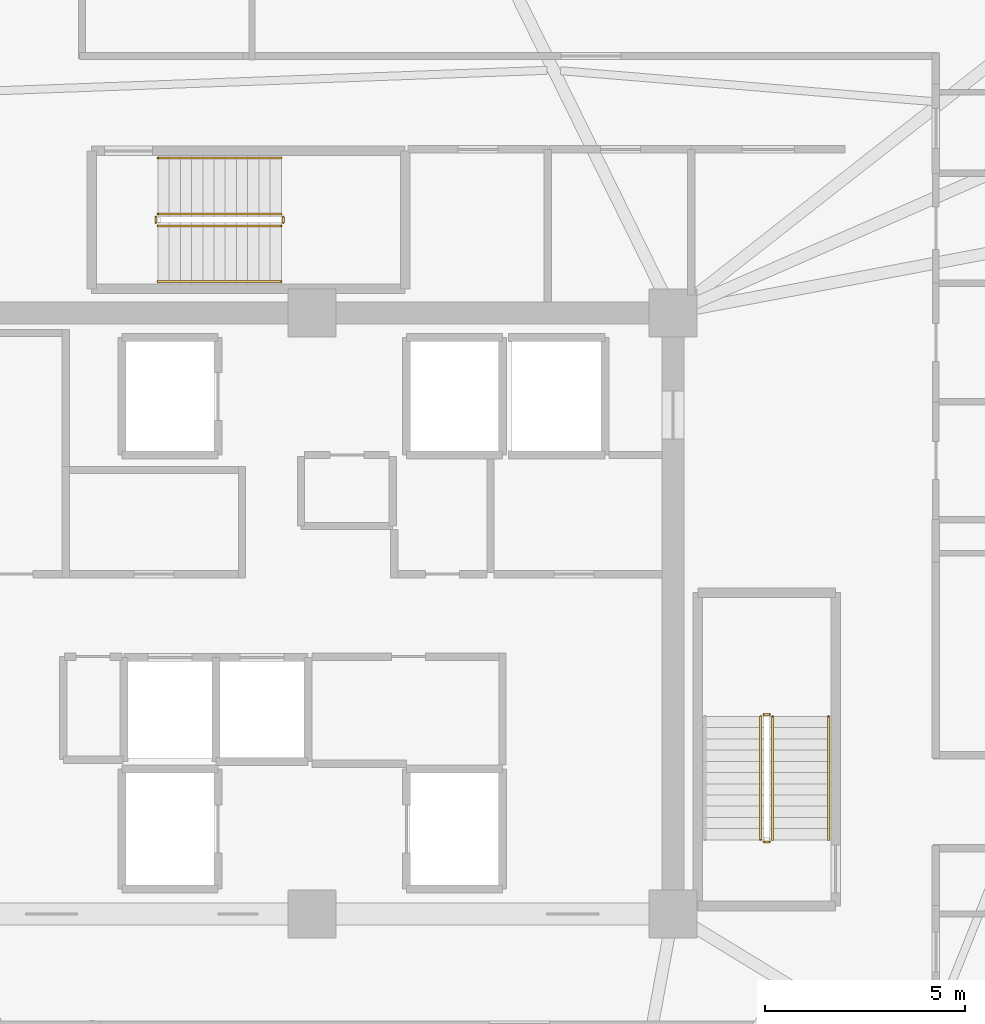
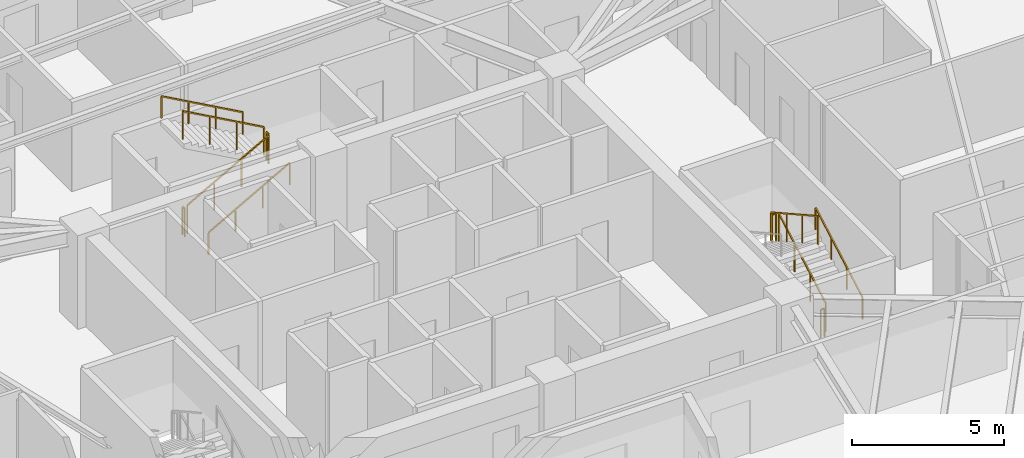
# One storey, part 10 of 10: 11 railings.
"""IFC4 building model written with IfcOpenShell, lengths in metres."""

from ifc_helpers import new_model, si_unit, direction, frame, origin, origin_2d, place, context, subcontext, project, spatial, rectangle, extrude, material, type_object, element, save


model = new_model("IFC4")

# Units and contexts
model_context = context("Model", 3, precision=1e-05, world=origin(), true_north=direction((0.0, 1.0)))
body_context = subcontext(model_context, "Body", "Model", "MODEL_VIEW")
ifc_project = project(units=[si_unit("LENGTHUNIT", "METRE"), si_unit("AREAUNIT", "SQUARE_METRE"), si_unit("VOLUMEUNIT", "CUBIC_METRE"), si_unit("PLANEANGLEUNIT", "RADIAN"), si_unit("MASSUNIT", "GRAM", prefix="KILO")], contexts=[model_context])

# Site, building, storey
site_placement = place(None, origin())
site = spatial("IfcSite", under=ifc_project, at=site_placement, CompositionType="ELEMENT")
building_placement = place(site_placement, origin())
building = spatial("IfcBuilding", under=site, at=building_placement, Name="Liaohun Quay Tower", CompositionType="ELEMENT")
storey_placement = place(building_placement, frame((0.0, 0.0, 339.75)))
storey = spatial("IfcBuildingStorey", under=building, at=storey_placement, Name="L88", CompositionType="ELEMENT", Elevation=339.75)

# Railings
ifc_material_1 = material(Name="Painted tubular steel", Category="steel")
railing_type_1 = type_object("IfcRailingType", Name="RLG-GUARD-STR", PredefinedType="GUARDRAIL", material=ifc_material_1)
railing_1_placement = place(storey_placement, frame((71.489990234375, 48.35009765625, 0.15625)))
element("IfcRailing", 1, at=railing_1_placement, inside=storey, type_object=railing_type_1, Name="L88 ST-2 stair guard 1", PredefinedType="GUARDRAIL", context=body_context, shape_type="SweptSolid", body=[
    extrude(rectangle(XDim=0.048095703125, YDim=0.048095703125, at=origin_2d()), frame((0.0, 0.0, 1.1259765625), z_axis=(0.0, 0.873225103656, 0.487317061414), x_axis=(-1.0, 0.0, 0.0)), (0.0, 0.0, 1.0), 3.52685546875),
    extrude(rectangle(XDim=0.0419921875, YDim=0.0419921875, at=origin_2d()), origin(), (0.0, 0.0, 1.0), 1.101806640625),
    extrude(rectangle(XDim=0.0419921875, YDim=0.0419921875, at=origin_2d()), frame((0.0, 1.026611328125, 0.572998046875)), (0.0, 0.0, 1.0), 1.101806640625),
    extrude(rectangle(XDim=0.0419921875, YDim=0.0419921875, at=origin_2d()), frame((0.0, 2.05322265625, 1.145751953125)), (0.0, 0.0, 1.0), 1.101806640625),
    extrude(rectangle(XDim=0.0419921875, YDim=0.0419921875, at=origin_2d()), frame((0.0, 3.079833984375, 1.71875)), (0.0, 0.0, 1.0), 1.101806640625),
])
railing_2_placement = place(storey_placement, frame((71.409912109375, 51.47998046875, 1.875)))
element("IfcRailing", 2, at=railing_2_placement, inside=storey, type_object=railing_type_1, Name="L88 ST-2 stair guard 2", PredefinedType="GUARDRAIL", context=body_context, shape_type="SweptSolid", body=[
    extrude(rectangle(XDim=0.048095703125, YDim=0.048095703125, at=origin_2d()), frame((0.0, 0.0, 1.1259765625), z_axis=(-1.0, 0.0, 0.0), x_axis=(0.0, -1.0, 0.0)), (0.0, 0.0, 1.0), 0.139892578125),
    extrude(rectangle(XDim=0.0419921875, YDim=0.0419921875, at=origin_2d()), origin(), (0.0, 0.0, 1.0), 1.101806640625),
    extrude(rectangle(XDim=0.0419921875, YDim=0.0419921875, at=origin_2d()), frame((-0.139892578125, 0.0, 0.0)), (0.0, 0.0, 1.0), 1.101806640625),
])
railing_3_placement = place(storey_placement, frame((71.18994140625, 51.429931640625, 2.03125)))
element("IfcRailing", 3, at=railing_3_placement, inside=storey, type_object=railing_type_1, Name="L88 ST-2 stair guard 3", PredefinedType="GUARDRAIL", context=body_context, shape_type="SweptSolid", body=[
    extrude(rectangle(XDim=0.048095703125, YDim=0.048095703125, at=origin_2d()), frame((0.0, 0.0, 1.1259765625), z_axis=(0.0, -0.873225103656, 0.487317061414), x_axis=(1.0, 0.0, 0.0)), (0.0, 0.0, 1.0), 3.52685546875),
    extrude(rectangle(XDim=0.0419921875, YDim=0.0419921875, at=origin_2d()), origin(), (0.0, 0.0, 1.0), 1.101806640625),
    extrude(rectangle(XDim=0.0419921875, YDim=0.0419921875, at=origin_2d()), frame((0.0, -1.026611328125, 0.572998046875)), (0.0, 0.0, 1.0), 1.101806640625),
    extrude(rectangle(XDim=0.0419921875, YDim=0.0419921875, at=origin_2d()), frame((0.0, -2.05322265625, 1.145751953125)), (0.0, 0.0, 1.0), 1.101806640625),
    extrude(rectangle(XDim=0.0419921875, YDim=0.0419921875, at=origin_2d()), frame((0.0, -3.079833984375, 1.71875)), (0.0, 0.0, 1.0), 1.101806640625),
])
railing_4_placement = place(storey_placement, frame((71.409912109375, 48.300048828125, 0.0)))
element("IfcRailing", 4, at=railing_4_placement, inside=storey, type_object=railing_type_1, Name="L88 ST-2 stair guard 4", PredefinedType="GUARDRAIL", context=body_context, shape_type="SweptSolid", body=[
    extrude(rectangle(XDim=0.048095703125, YDim=0.048095703125, at=origin_2d()), frame((0.0, 0.0, 1.1259765625), z_axis=(-1.0, 0.0, 0.0), x_axis=(0.0, -1.0, 0.0)), (0.0, 0.0, 1.0), 0.139892578125),
    extrude(rectangle(XDim=0.0419921875, YDim=0.0419921875, at=origin_2d()), origin(), (0.0, 0.0, 1.0), 1.101806640625),
    extrude(rectangle(XDim=0.0419921875, YDim=0.0419921875, at=origin_2d()), frame((-0.139892578125, 0.0, 0.0)), (0.0, 0.0, 1.0), 1.101806640625),
])
railing_5_placement = place(storey_placement, frame((56.14990234375, 63.669921875, 0.15625)))
element("IfcRailing", 5, at=railing_5_placement, inside=storey, type_object=railing_type_1, Name="L88 ST-3 stair guard 1", PredefinedType="GUARDRAIL", context=body_context, shape_type="SweptSolid", body=[
    extrude(rectangle(XDim=0.048095703125, YDim=0.048095703125, at=origin_2d()), frame((0.0, 0.0, 1.1259765625), z_axis=(0.873241540666, 0.0, 0.487287606713), x_axis=(0.0, 1.0, 0.0)), (0.0, 0.0, 1.0), 3.527099609375),
    extrude(rectangle(XDim=0.0419921875, YDim=0.0419921875, at=origin_2d()), origin(), (0.0, 0.0, 1.0), 1.101806640625),
    extrude(rectangle(XDim=0.0419921875, YDim=0.0419921875, at=origin_2d()), frame((1.026611328125, 0.0, 0.572998046875)), (0.0, 0.0, 1.0), 1.101806640625),
    extrude(rectangle(XDim=0.0419921875, YDim=0.0419921875, at=origin_2d()), frame((2.053466796875, 0.0, 1.145751953125)), (0.0, 0.0, 1.0), 1.101806640625),
    extrude(rectangle(XDim=0.0419921875, YDim=0.0419921875, at=origin_2d()), frame((3.080078125, 0.0, 1.71875)), (0.0, 0.0, 1.0), 1.101806640625),
])
railing_6_placement = place(storey_placement, frame((59.280029296875, 63.75, 1.875)))
element("IfcRailing", 6, at=railing_6_placement, inside=storey, type_object=railing_type_1, Name="L88 ST-3 stair guard 2", PredefinedType="GUARDRAIL", context=body_context, shape_type="SweptSolid", body=[
    extrude(rectangle(XDim=0.048095703125, YDim=0.048095703125, at=origin_2d()), frame((0.0, 0.0, 1.1259765625), z_axis=(0.0, 1.0, 0.0), x_axis=(-1.0, 0.0, 0.0)), (0.0, 0.0, 1.0), 0.139892578125),
    extrude(rectangle(XDim=0.0419921875, YDim=0.0419921875, at=origin_2d()), origin(), (0.0, 0.0, 1.0), 1.101806640625),
    extrude(rectangle(XDim=0.0419921875, YDim=0.0419921875, at=origin_2d()), frame((0.0, 0.139892578125, 0.0)), (0.0, 0.0, 1.0), 1.101806640625),
])
railing_7_placement = place(storey_placement, frame((59.22998046875, 63.969970703125, 2.03125)))
element("IfcRailing", 7, at=railing_7_placement, inside=storey, type_object=railing_type_1, Name="L88 ST-3 stair guard 3", PredefinedType="GUARDRAIL", context=body_context, shape_type="SweptSolid", body=[
    extrude(rectangle(XDim=0.048095703125, YDim=0.048095703125, at=origin_2d()), frame((0.0, 0.0, 1.1259765625), z_axis=(-0.873241540666, 0.0, 0.487287606713), x_axis=(0.0, -1.0, 0.0)), (0.0, 0.0, 1.0), 3.527099609375),
    extrude(rectangle(XDim=0.0419921875, YDim=0.0419921875, at=origin_2d()), origin(), (0.0, 0.0, 1.0), 1.101806640625),
    extrude(rectangle(XDim=0.0419921875, YDim=0.0419921875, at=origin_2d()), frame((-1.026611328125, 0.0, 0.572998046875)), (0.0, 0.0, 1.0), 1.101806640625),
    extrude(rectangle(XDim=0.0419921875, YDim=0.0419921875, at=origin_2d()), frame((-2.053466796875, 0.0, 1.145751953125)), (0.0, 0.0, 1.0), 1.101806640625),
    extrude(rectangle(XDim=0.0419921875, YDim=0.0419921875, at=origin_2d()), frame((-3.080078125, 0.0, 1.71875)), (0.0, 0.0, 1.0), 1.101806640625),
])
railing_8_placement = place(storey_placement, frame((56.10009765625, 63.75, 0.0)))
element("IfcRailing", 8, at=railing_8_placement, inside=storey, type_object=railing_type_1, Name="L88 ST-3 stair guard 4", PredefinedType="GUARDRAIL", context=body_context, shape_type="SweptSolid", body=[
    extrude(rectangle(XDim=0.048095703125, YDim=0.048095703125, at=origin_2d()), frame((0.0, 0.0, 1.1259765625), z_axis=(0.0, 1.0, 0.0), x_axis=(-1.0, 0.0, 0.0)), (0.0, 0.0, 1.0), 0.139892578125),
    extrude(rectangle(XDim=0.0419921875, YDim=0.0419921875, at=origin_2d()), origin(), (0.0, 0.0, 1.0), 1.101806640625),
    extrude(rectangle(XDim=0.0419921875, YDim=0.0419921875, at=origin_2d()), frame((0.0, 0.139892578125, 0.0)), (0.0, 0.0, 1.0), 1.101806640625),
])
ifc_material_2 = material(Name="Brushed stainless steel", Category="steel")
railing_type_2 = type_object("IfcRailingType", Name="RLG-HND-STR", PredefinedType="HANDRAIL", material=ifc_material_2)
railing_9_placement = place(storey_placement, frame((72.8798828125, 48.35009765625, 0.15625)))
element("IfcRailing", 9, at=railing_9_placement, inside=storey, type_object=railing_type_2, Name="L88 ST-2 stair handrail 1", PredefinedType="HANDRAIL", context=body_context, shape_type="SweptSolid", body=[
    extrude(rectangle(XDim=0.048095703125, YDim=0.048095703125, at=origin_2d()), frame((0.0, 0.0, 0.8759765625), z_axis=(0.0, 0.873225103656, 0.487317061414), x_axis=(-1.0, 0.0, 0.0)), (0.0, 0.0, 1.0), 3.52685546875),
    extrude(rectangle(XDim=0.0419921875, YDim=0.0419921875, at=origin_2d()), origin(), (0.0, 0.0, 1.0), 0.851806640625),
    extrude(rectangle(XDim=0.0419921875, YDim=0.0419921875, at=origin_2d()), frame((0.0, 1.026611328125, 0.572998046875)), (0.0, 0.0, 1.0), 0.851806640625),
    extrude(rectangle(XDim=0.0419921875, YDim=0.0419921875, at=origin_2d()), frame((0.0, 2.05322265625, 1.145751953125)), (0.0, 0.0, 1.0), 0.851806640625),
    extrude(rectangle(XDim=0.0419921875, YDim=0.0419921875, at=origin_2d()), frame((0.0, 3.079833984375, 1.71875)), (0.0, 0.0, 1.0), 0.851806640625),
])
railing_10_placement = place(storey_placement, frame((56.14990234375, 62.280029296875, 0.15625)))
element("IfcRailing", 10, at=railing_10_placement, inside=storey, type_object=railing_type_2, Name="L88 ST-3 stair handrail 1", PredefinedType="HANDRAIL", context=body_context, shape_type="SweptSolid", body=[
    extrude(rectangle(XDim=0.048095703125, YDim=0.048095703125, at=origin_2d()), frame((0.0, 0.0, 0.8759765625), z_axis=(0.873241540666, 0.0, 0.487287606713), x_axis=(0.0, 1.0, 0.0)), (0.0, 0.0, 1.0), 3.527099609375),
    extrude(rectangle(XDim=0.0419921875, YDim=0.0419921875, at=origin_2d()), origin(), (0.0, 0.0, 1.0), 0.851806640625),
    extrude(rectangle(XDim=0.0419921875, YDim=0.0419921875, at=origin_2d()), frame((1.026611328125, 0.0, 0.572998046875)), (0.0, 0.0, 1.0), 0.851806640625),
    extrude(rectangle(XDim=0.0419921875, YDim=0.0419921875, at=origin_2d()), frame((2.053466796875, 0.0, 1.145751953125)), (0.0, 0.0, 1.0), 0.851806640625),
    extrude(rectangle(XDim=0.0419921875, YDim=0.0419921875, at=origin_2d()), frame((3.080078125, 0.0, 1.71875)), (0.0, 0.0, 1.0), 0.851806640625),
])
railing_11_placement = place(storey_placement, frame((59.22998046875, 65.360107421875, 2.03125)))
element("IfcRailing", 11, at=railing_11_placement, inside=storey, type_object=railing_type_2, Name="L88 ST-3 stair handrail 2", PredefinedType="HANDRAIL", context=body_context, shape_type="SweptSolid", body=[
    extrude(rectangle(XDim=0.048095703125, YDim=0.048095703125, at=origin_2d()), frame((0.0, 0.0, 0.8759765625), z_axis=(-0.873241540666, 0.0, 0.487287606713), x_axis=(0.0, -1.0, 0.0)), (0.0, 0.0, 1.0), 3.527099609375),
    extrude(rectangle(XDim=0.0419921875, YDim=0.0419921875, at=origin_2d()), origin(), (0.0, 0.0, 1.0), 0.851806640625),
    extrude(rectangle(XDim=0.0419921875, YDim=0.0419921875, at=origin_2d()), frame((-1.026611328125, 0.0, 0.572998046875)), (0.0, 0.0, 1.0), 0.851806640625),
    extrude(rectangle(XDim=0.0419921875, YDim=0.0419921875, at=origin_2d()), frame((-2.053466796875, 0.0, 1.145751953125)), (0.0, 0.0, 1.0), 0.851806640625),
    extrude(rectangle(XDim=0.0419921875, YDim=0.0419921875, at=origin_2d()), frame((-3.080078125, 0.0, 1.71875)), (0.0, 0.0, 1.0), 0.851806640625),
])

save(model, "model.ifc")
